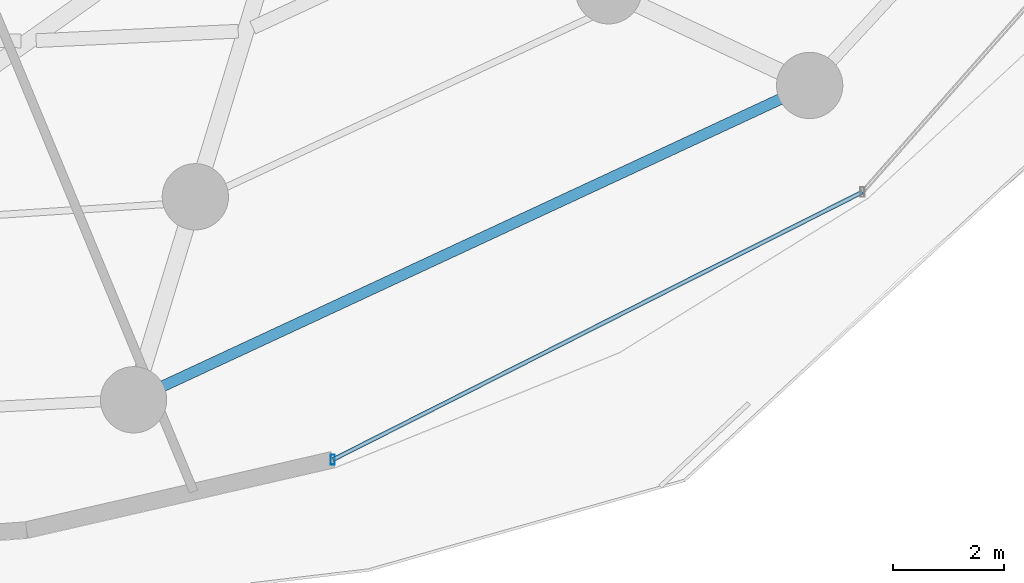
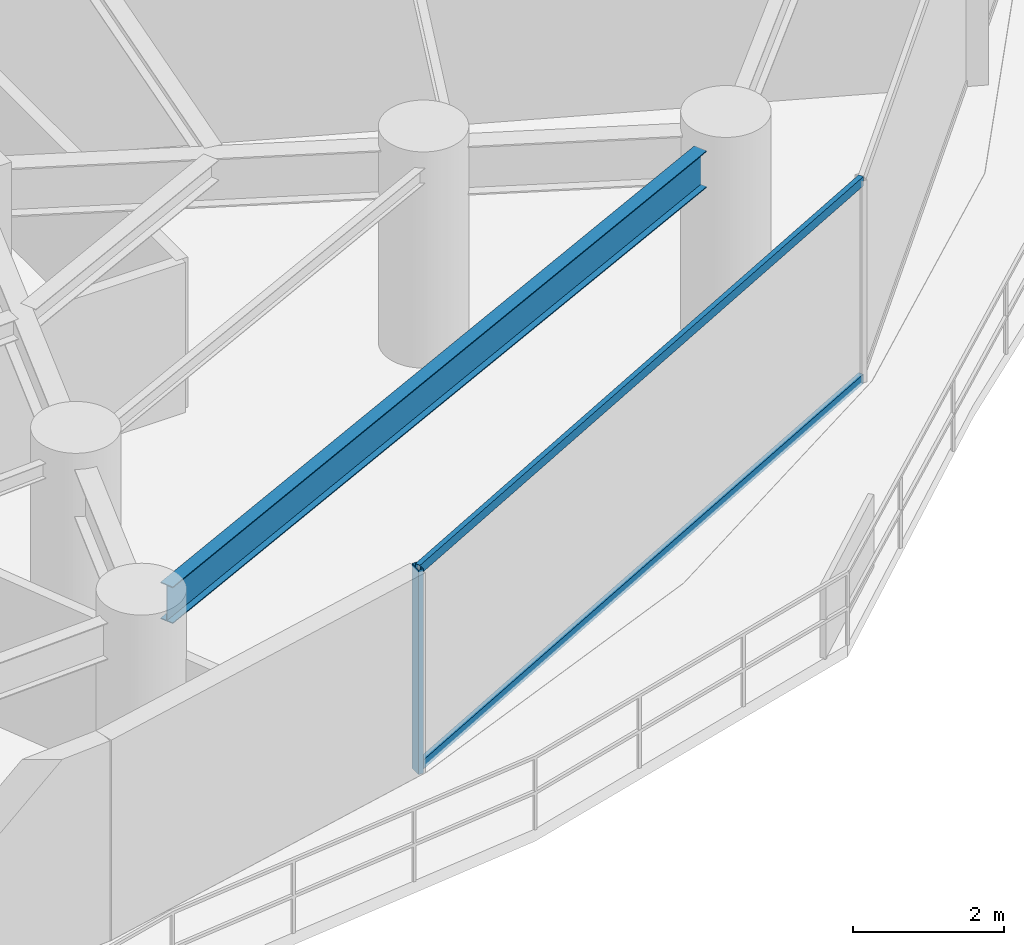
# One storey, part 12 of 35: 3 members, 1 beam, 1 element without a shape of its own.
"""IFC4 building model written with IfcOpenShell, lengths in metres."""

from ifc_helpers import new_model, si_unit, direction, frame, origin, origin_2d, place, context, subcontext, project, spatial, hollow_rectangle, i_section, extrude, material, material_profile, profile_set, type_object, element, aggregate, save


model = new_model("IFC4")

# Units and contexts
model_context = context("Model", 3, precision=1e-05, world=origin(), true_north=direction((0.0, 1.0)))
body_context = subcontext(model_context, "Body", "Model", "MODEL_VIEW")
ifc_project = project(units=[si_unit("LENGTHUNIT", "METRE"), si_unit("AREAUNIT", "SQUARE_METRE"), si_unit("VOLUMEUNIT", "CUBIC_METRE"), si_unit("PLANEANGLEUNIT", "RADIAN"), si_unit("MASSUNIT", "GRAM", prefix="KILO")], contexts=[model_context])

# Site, building, storey
site_placement = place(None, origin())
site = spatial("IfcSite", under=ifc_project, at=site_placement, CompositionType="ELEMENT")
building_placement = place(site_placement, origin())
building = spatial("IfcBuilding", under=site, at=building_placement, Name="Vorneva Point Tower", CompositionType="ELEMENT")
storey_placement = place(building_placement, frame((0.0, 0.0, 52.0)))
storey = spatial("IfcBuildingStorey", under=building, at=storey_placement, Name="L13", CompositionType="ELEMENT", Elevation=52.0)

# Beam
ifc_material_1 = material(Name="Steel S355", Category="steel")
ifc_material_profile_1 = material_profile(ifc_material_1, i_section(OverallWidth=0.198974609375, OverallDepth=0.595947265625, WebThickness=0.010009765625, FlangeThickness=0.014892578125, at=origin_2d()), Name="60B1")
ifc_profile_set_1 = profile_set([ifc_material_profile_1], Name="Steel S355")
beam_type = type_object("IfcBeamType", Name="BM-SPN-60B1", PredefinedType="SPANDREL", material=ifc_profile_set_1)
beam_placement = place(storey_placement, frame((46.233642578125, 6.681884765625, 2.94189453125), z_axis=(0.906772901024, 0.421619385191, 0.0), x_axis=(-0.421619385191, 0.906772901024, 0.0)))
element("IfcBeam", 1, at=beam_placement, inside=storey, type_object=beam_type, Name="L13 Perimeter Spandrel Ring Beam 14", PredefinedType="SPANDREL", context=body_context, shape_type="SweptSolid", body=[
    extrude(i_section(OverallWidth=0.198974609375, OverallDepth=0.595947265625, WebThickness=0.010009765625, FlangeThickness=0.014892578125, at=origin_2d()), origin(), (0.0, 0.0, 1.0), 12.323486328125),
])

# Curtain wall, members
ifc_material_2 = material(Name="Pale anodised aluminium", Category="aluminium")
curtain_wall_type = type_object("IfcCurtainWallType", Name="CW-HTL-SYS", PredefinedType="NOTDEFINED", material=ifc_material_2)
curtain_wall_placement = place(storey_placement, origin())
curtain_wall = element("IfcCurtainWall", 2, at=curtain_wall_placement, inside=storey, type_object=curtain_wall_type, Name="L13 Unitised Curtain Wall CW-L13-R01", PredefinedType="NOTDEFINED")
ifc_material_profile_2 = material_profile(ifc_material_2, hollow_rectangle(XDim=0.074951171875, YDim=0.179931640625, WallThickness=0.00390625, at=origin_2d()), Name="AL-MUL 180x75x4")
ifc_profile_set_2 = profile_set([ifc_material_profile_2], Name="Pale anodised aluminium")
member_type_1 = type_object("IfcMemberType", Name="CW-MUL-180", PredefinedType="MULLION", material=ifc_profile_set_2)
member_1_placement = place(storey_placement, frame((49.308349609375, 5.351318359375, -0.0400390625), z_axis=(0.0, 0.0, 1.0), x_axis=(1.0, 0.0, 0.0)))
member_1 = element("IfcMember", 3, at=member_1_placement, type_object=member_type_1, Name="CW-L13-R01 Mullion 01", PredefinedType="MULLION", context=body_context, shape_type="SweptSolid", body=[
    extrude(hollow_rectangle(XDim=0.074951171875, YDim=0.179931640625, WallThickness=0.00390625, at=origin_2d()), origin(), (0.0, 0.0, 1.0), 3.31005859375),
])
ifc_material_profile_3 = material_profile(ifc_material_2, hollow_rectangle(XDim=0.074951171875, YDim=0.14990234375, WallThickness=0.00390625, at=origin_2d()), Name="AL-TRN 150x75x4")
ifc_profile_set_3 = profile_set([ifc_material_profile_3], Name="Pale anodised aluminium")
member_type_2 = type_object("IfcMemberType", Name="CW-TRN-150", PredefinedType="USERDEFINED", material=ifc_profile_set_3)
member_2_placement = place(storey_placement, frame((49.308349609375, 5.351318359375, 0.02001953125), z_axis=(0.892496057621, 0.451055192999, 0.0), x_axis=(-0.451055192999, 0.892496057621, 0.0)))
member_2 = element("IfcMember", 4, at=member_2_placement, type_object=member_type_2, Name="CW-L13-R01 Transom 01.1", ObjectType="TRANSOM", PredefinedType="USERDEFINED", context=body_context, shape_type="SweptSolid", body=[
    extrude(hollow_rectangle(XDim=0.074951171875, YDim=0.14990234375, WallThickness=0.00390625, at=origin_2d()), origin(), (0.0, 0.0, 1.0), 10.741455078125),
])
member_3_placement = place(storey_placement, frame((49.308349609375, 5.351318359375, 3.219970703125), z_axis=(0.892496057621, 0.451055192999, 0.0), x_axis=(-0.451055192999, 0.892496057621, 0.0)))
member_3 = element("IfcMember", 5, at=member_3_placement, type_object=member_type_2, Name="CW-L13-R01 Transom 01.2", ObjectType="TRANSOM", PredefinedType="USERDEFINED", context=body_context, shape_type="SweptSolid", body=[
    extrude(hollow_rectangle(XDim=0.074951171875, YDim=0.14990234375, WallThickness=0.00390625, at=origin_2d()), origin(), (0.0, 0.0, 1.0), 10.741455078125),
])
aggregate(curtain_wall, [member_1, member_2, member_3])

save(model, "model.ifc")
